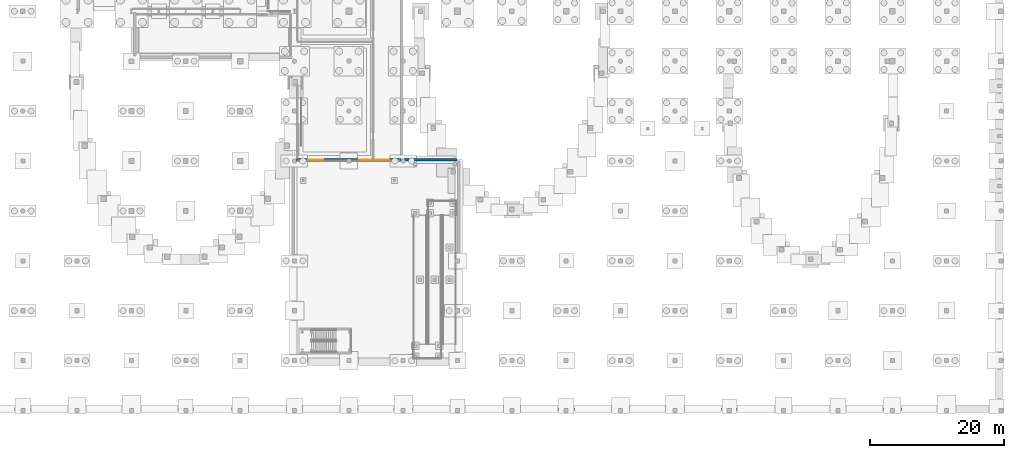
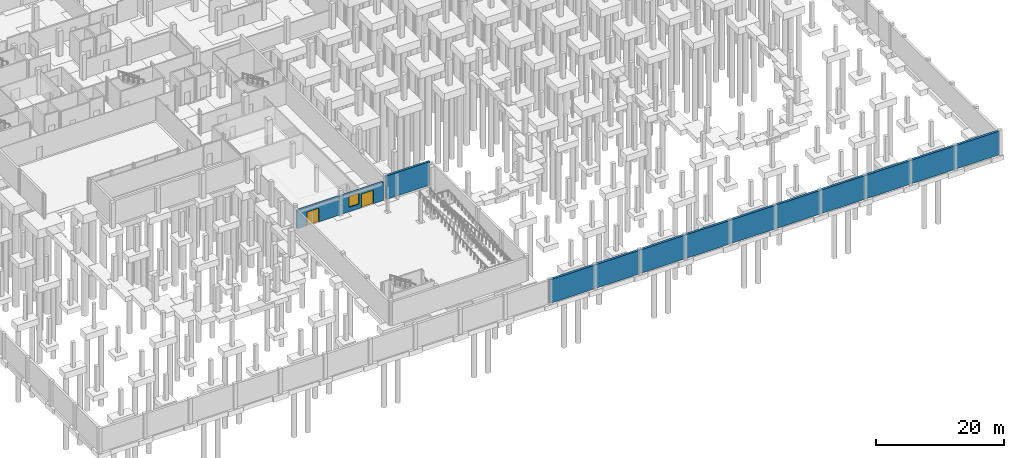
# One storey, part 25 of 37: 3 walls, 2 doors, 1 window, 3 openings.
"""IFC4 building model written with IfcOpenShell, lengths in metres."""

from ifc_helpers import new_model, si_unit, direction, frame, frame_2d, origin, place, context, subcontext, project, spatial, rectangle, extrude, material, layer, layer_set, type_object, element, fill, save


model = new_model("IFC4")

# Units and contexts
model_context = context("Model", 3, precision=1e-05, world=origin(), true_north=direction((0.0, 1.0)))
body_context = subcontext(model_context, "Body", "Model", "MODEL_VIEW")
ifc_project = project(units=[si_unit("LENGTHUNIT", "METRE"), si_unit("AREAUNIT", "SQUARE_METRE"), si_unit("VOLUMEUNIT", "CUBIC_METRE"), si_unit("PLANEANGLEUNIT", "RADIAN"), si_unit("MASSUNIT", "GRAM", prefix="KILO")], contexts=[model_context])

# Site, building, storey
site_placement = place(None, origin())
site = spatial("IfcSite", under=ifc_project, at=site_placement, CompositionType="ELEMENT")
building_placement = place(site_placement, origin())
building = spatial("IfcBuilding", under=site, at=building_placement, Name="Kaelora Sail Theatre", CompositionType="ELEMENT")
storey_placement = place(building_placement, frame((0.0, 0.0, -4.800048828125)))
storey = spatial("IfcBuildingStorey", under=building, at=storey_placement, Name="B1", CompositionType="ELEMENT", Elevation=-4.800048828125)

# Wall, openings, doors, window
ifc_material_1 = material(Name="Concrete C45/55", Category="concrete")
ifc_layer_1 = layer(ifc_material_1, 0.35009765625)
ifc_layer_set_1 = layer_set([ifc_layer_1], Name="Concrete C45/55")
wall_type_1 = type_object("IfcWallType", Name="ARC-WL-EW-350", PredefinedType="SOLIDWALL", material=ifc_layer_set_1)
wall_1_placement = place(storey_placement, frame((74.070068359375, 38.889892578125, 0.0), z_axis=(0.0, 0.0, 1.0), x_axis=(-1.0, 0.0, 0.0)))
wall_1 = element("IfcWall", 1, at=wall_1_placement, inside=storey, type_object=wall_type_1, Name="Sunken Metro Concourse Postmodern Arrival Portal Wall", PredefinedType="SOLIDWALL", context=body_context, shape_type="SweptSolid", body=[
    extrude(rectangle(XDim=15.5400390625, YDim=0.35009765625, at=frame_2d((7.77001953125, 0.0))), origin(), (0.0, 0.0, 1.0), 3.5),
])
opening_1_placement = place(wall_1_placement, frame((1.800048828125, 0.0, 0.0)))
opening_1 = element("IfcOpeningElement", 2, at=opening_1_placement, cuts=wall_1, Name="Opening ED-01", PredefinedType="OPENING", context=body_context, shape_type="SweptSolid", body=[
    extrude(rectangle(XDim=2.199951171875, YDim=2.60009765625, at=frame_2d((1.10009765625, 1.300048828125))), frame((0.0, 0.185049, 0.0), z_axis=(0.0, -1.0, 0.0), x_axis=(1.0, 0.0, 0.0)), (0.0, 0.0, 1.0), 0.370098),
])
opening_2_placement = place(wall_1_placement, frame((4.39990234375, 0.0, 0.85009765625)))
opening_2 = element("IfcOpeningElement", 3, at=opening_2_placement, cuts=wall_1, Name="Opening W-01", PredefinedType="OPENING", context=body_context, shape_type="SweptSolid", body=[
    extrude(rectangle(XDim=1.800048828125, YDim=2.10009765625, at=frame_2d((0.89990234375, 1.050048828125))), frame((0.0, 0.185049, 0.0), z_axis=(0.0, -1.0, 0.0), x_axis=(1.0, 0.0, 0.0)), (0.0, 0.0, 1.0), 0.370098),
])
opening_3_placement = place(wall_1_placement, frame((11.60009765625, 0.0, 0.0)))
opening_3 = element("IfcOpeningElement", 4, at=opening_3_placement, cuts=wall_1, Name="Opening ED-01", PredefinedType="OPENING", context=body_context, shape_type="SweptSolid", body=[
    extrude(rectangle(XDim=2.199951171875, YDim=2.60009765625, at=frame_2d((1.10009765625, 1.300048828125))), frame((0.0, 0.185049, 0.0), z_axis=(0.0, -1.0, 0.0), x_axis=(1.0, 0.0, 0.0)), (0.0, 0.0, 1.0), 0.370098),
])
ifc_material_2 = material(Name="Aluminium glazed double plaza entrance door", Category="aluminium")
door_type = type_object("IfcDoorType", Name="ARC-DR-ED-01", OperationType="NOTDEFINED", PredefinedType="DOOR", material=ifc_material_2)
door_1_placement = place(opening_1_placement, origin())
door_1 = element("IfcDoor", 5, at=door_1_placement, inside=storey, type_object=door_type, Name="Metro Concourse Arrival Double Entrance Door 1", OperationType="DOUBLE_DOOR_SINGLE_SWING", OverallHeight=2.60009765625, OverallWidth=2.199951171875, PredefinedType="DOOR", context=body_context, shape_type="SweptSolid", body=[
    extrude(rectangle(XDim=2.199951171875, YDim=2.60009765625, at=frame_2d((1.10009765625, 1.300048828125))), frame((0.0, 0.02490234375, 0.0), z_axis=(0.0, -1.0, 0.0), x_axis=(1.0, 0.0, 0.0)), (0.0, 0.0, 1.0), 0.050048828125),
])
fill(opening_1, door_1)
door_2_placement = place(opening_3_placement, origin())
door_2 = element("IfcDoor", 6, at=door_2_placement, inside=storey, type_object=door_type, Name="Metro Concourse Arrival Double Entrance Door 2", OperationType="DOUBLE_DOOR_SINGLE_SWING", OverallHeight=2.60009765625, OverallWidth=2.199951171875, PredefinedType="DOOR", context=body_context, shape_type="SweptSolid", body=[
    extrude(rectangle(XDim=2.199951171875, YDim=2.60009765625, at=frame_2d((1.10009765625, 1.300048828125))), frame((0.0, 0.02490234375, 0.0), z_axis=(0.0, -1.0, 0.0), x_axis=(1.0, 0.0, 0.0)), (0.0, 0.0, 1.0), 0.050048828125),
])
fill(opening_3, door_2)
ifc_material_3 = material(Name="Thermally broken aluminium and low-E double glazing", Category="aluminium")
window_type = type_object("IfcWindowType", Name="ARC-WIN-W-01", PartitioningType="SINGLE_PANEL", PredefinedType="WINDOW", material=ifc_material_3)
window_placement = place(opening_2_placement, origin())
window = element("IfcWindow", 7, at=window_placement, inside=storey, type_object=window_type, Name="Metro Concourse Ticket Hall Glazed Window", OverallHeight=2.10009765625, OverallWidth=1.800048828125, PartitioningType="SINGLE_PANEL", PredefinedType="WINDOW", context=body_context, shape_type="SweptSolid", body=[
    extrude(rectangle(XDim=1.800048828125, YDim=2.10009765625, at=frame_2d((0.89990234375, 1.050048828125))), frame((0.0, 0.030029296875, 0.0), z_axis=(0.0, -1.0, 0.0), x_axis=(1.0, 0.0, 0.0)), (0.0, 0.0, 1.0), 0.06005859375),
])
fill(opening_2, window)

# Walls
ifc_material_4 = material(Name="Concrete C40/50", Category="concrete")
ifc_layer_2 = layer(ifc_material_4, 0.3798828125)
ifc_layer_set_2 = layer_set([ifc_layer_2], Name="Concrete C40/50")
wall_type_2 = type_object("IfcWallType", Name="ARC-WL-RW-380", PredefinedType="USERDEFINED", material=ifc_layer_set_2)
wall_2_placement = place(storey_placement, frame((74.550048828125, 38.889892578125, 0.0), z_axis=(0.0, 0.0, 1.0), x_axis=(1.0, 0.0, 0.0)))
element("IfcWall", 8, at=wall_2_placement, inside=storey, type_object=wall_type_2, Name="Grounded concrete plinth retaining wall B1-COURT-NE", ObjectType="RETAINING WALL", PredefinedType="USERDEFINED", context=body_context, shape_type="SweptSolid", body=[
    extrude(rectangle(XDim=7.89990234375, YDim=0.3798828125, at=frame_2d((3.949951171875, 0.0))), origin(), (0.0, 0.0, 1.0), 4.47998046875),
])
ifc_material_5 = material(Name="Concrete C45/55", Category="concrete")
ifc_layer_3 = layer(ifc_material_5, 0.419921875)
ifc_layer_set_3 = layer_set([ifc_layer_3], Name="Concrete C45/55")
wall_type_3 = type_object("IfcWallType", Name="ARC-WL-RW-420", PredefinedType="USERDEFINED", material=ifc_layer_set_3)
wall_3_placement = place(storey_placement, frame((82.5, 1.7099609375, 0.0), z_axis=(0.0, 0.0, 1.0), x_axis=(1.0, 0.0, 0.0)))
element("IfcWall", 9, at=wall_3_placement, inside=storey, type_object=wall_type_3, Name="Grounded concrete plinth retaining wall B1-PLINTH-SE", ObjectType="RETAINING WALL", PredefinedType="USERDEFINED", context=body_context, shape_type="SweptSolid", body=[
    extrude(rectangle(XDim=80.7900390625, YDim=0.419921875, at=frame_2d((40.39501953125, 0.0))), origin(), (0.0, 0.0, 1.0), 4.47998046875),
])

save(model, "model.ifc")
